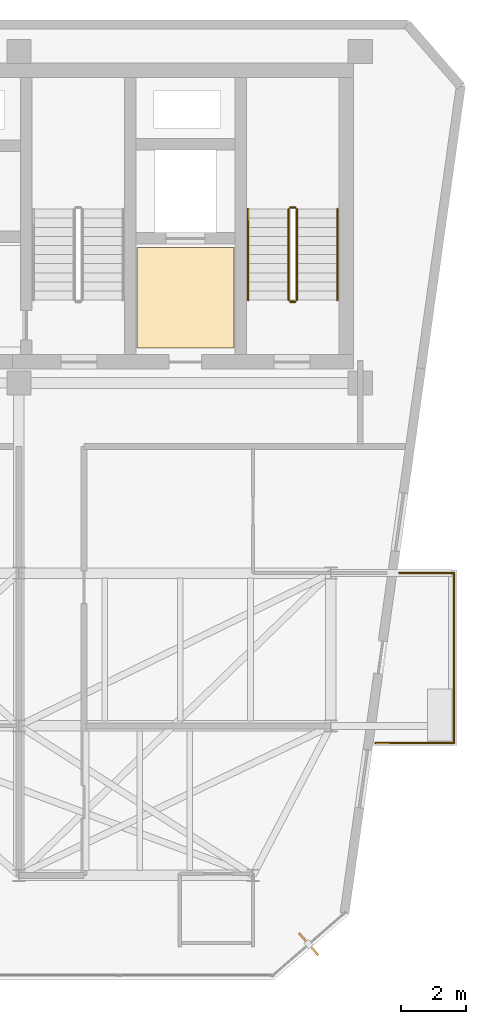
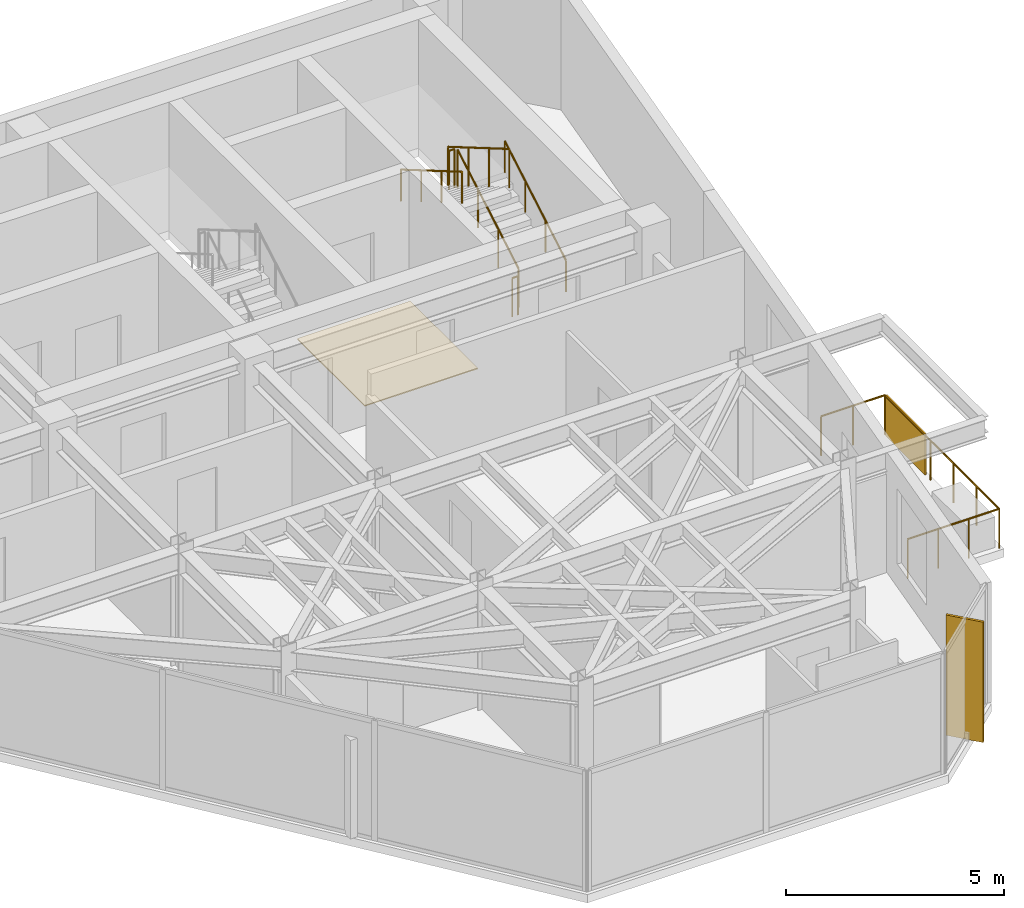
# One storey, part 17 of 17: 9 railings, 2 shading devices, 1 covering.
"""IFC4 building model written with IfcOpenShell, lengths in metres."""

import ifcopenshell
import ifcopenshell.guid

model = None  # the IFC model being written
_history = None  # IfcOwnerHistory: only IFC2X3 demands one
_inside = {}  # id of a spatial element -> (the spatial element, [elements in it])
_under = {}  # id of a project, library or spatial element -> (it, [spatial elements below it])
_declared = {}  # id of a project -> (the project, [libraries it declares])
_typed = {}  # id of a type object -> (the type object, [elements of that type])
_made_of = {}  # id of a material, layer set ... -> (it, [elements and type objects made of it])


def new_model(schema):
    """Start an empty IFC model of exactly this schema.

    Asked for "IFC4X3", IfcOpenShell would pick the latest addendum, in which some entities
    have other attributes; the version numbers below select the first issue.
    IFC2X3 requires an IfcOwnerHistory on every rooted entity: one is made here for all.
    """
    global model, _history
    if schema == "IFC4X3":
        model = ifcopenshell.file(schema_version=(4, 3, 0, 0))
    else:
        model = ifcopenshell.file(schema=schema)
    _inside.clear()
    _under.clear()
    _declared.clear()
    _typed.clear()
    _made_of.clear()
    _history = None
    if model.schema == "IFC2X3":
        org = make("IfcOrganization", Name="unknown")
        user = make(
            "IfcPersonAndOrganization",
            ThePerson=make("IfcPerson", FamilyName="unknown"),
            TheOrganization=org,
        )
        app = make(
            "IfcApplication",
            ApplicationDeveloper=org,
            Version="unknown",
            ApplicationFullName="unknown",
            ApplicationIdentifier="unknown",
        )
        _history = make(
            "IfcOwnerHistory",
            OwningUser=user,
            OwningApplication=app,
            ChangeAction="ADDED",
            CreationDate=0,
        )
    return model


def make(cls, **values):
    """One entity of the class cls with the attributes given. An attribute that is None is left unset."""
    return model.create_entity(
        cls, **{name: value for name, value in values.items() if value is not None}
    )


def rooted(cls, **values):
    """An entity with a GlobalId (a new one), such as an element, a storey or a relation."""
    return make(cls, GlobalId=ifcopenshell.guid.new(), OwnerHistory=_history, **values)


def si_unit(unit_type, name, prefix=None):
    """IfcSIUnit, for example si_unit("LENGTHUNIT", "METRE", prefix="MILLI")."""
    return make("IfcSIUnit", UnitType=unit_type, Prefix=prefix, Name=name)


def assignment(units):
    """IfcUnitAssignment: the units of a project."""
    return None if units is None else make("IfcUnitAssignment", Units=units)


def point(xyz):
    """IfcCartesianPoint."""
    return None if xyz is None else make("IfcCartesianPoint", Coordinates=xyz)


def direction(xyz):
    """IfcDirection."""
    return None if xyz is None else make("IfcDirection", DirectionRatios=xyz)


def frame(location, z_axis=None, x_axis=None):
    """IfcAxis2Placement3D, a coordinate frame: its origin and axes. An axis left out is left unset."""
    return make(
        "IfcAxis2Placement3D",
        Location=point(location),
        Axis=direction(z_axis),
        RefDirection=direction(x_axis),
    )


def frame_2d(location, x_axis=None):
    """IfcAxis2Placement2D, a coordinate frame in the plane: its origin and x axis."""
    return make(
        "IfcAxis2Placement2D", Location=point(location), RefDirection=direction(x_axis)
    )


def origin():
    """The frame at (0, 0, 0) with its axes left unset."""
    return frame((0.0, 0.0, 0.0))


def origin_2d():
    """The frame at (0, 0) in the plane with its x axis left unset."""
    return frame_2d((0.0, 0.0))


def place(relative_to, where):
    """IfcLocalPlacement: puts the frame where relative to a parent placement (None: the world)."""
    return make(
        "IfcLocalPlacement", PlacementRelTo=relative_to, RelativePlacement=where
    )


def context(
    kind, dimensions, precision=None, world=None, true_north=None, identifier=None
):
    """IfcGeometricRepresentationContext, for example the 3D "Model" context."""
    return make(
        "IfcGeometricRepresentationContext",
        ContextIdentifier=identifier,
        ContextType=kind,
        CoordinateSpaceDimension=dimensions,
        Precision=precision,
        WorldCoordinateSystem=world,
        TrueNorth=true_north,
    )


def subcontext(parent, identifier, kind, view, scale=None):
    """IfcGeometricRepresentationSubContext, for example "Body" below "Model"."""
    return make(
        "IfcGeometricRepresentationSubContext",
        ContextIdentifier=identifier,
        ContextType=kind,
        ParentContext=parent,
        TargetScale=scale,
        TargetView=view,
    )


def project(units=None, contexts=None):
    """IfcProject with its units and contexts."""
    return rooted(
        "IfcProject",
        Name="project",
        RepresentationContexts=contexts,
        UnitsInContext=assignment(units),
    )


def spatial(cls, under=None, at=None, **own):
    """A site, building, storey or space (cls), placed at a placement, below another one or the project."""
    s = rooted(cls, ObjectPlacement=at, **own)
    if under is not None:
        _under.setdefault(under.id(), (under, []))[1].append(s)
    return s


def polyline(points):
    """IfcPolyline through the points."""
    return make("IfcPolyline", Points=[point(p) for p in points])


def profile(cls, at=None, kind="AREA", **sizes):
    """A parametric profile (cls). Its sizes go by their IFC names, for example OverallWidth=200.0."""
    return make(cls, ProfileType=kind, Position=at, **sizes)


def rectangle(**sizes):
    """IfcRectangleProfileDef."""
    return profile("IfcRectangleProfileDef", **sizes)


def circle(**sizes):
    """IfcCircleProfileDef."""
    return profile("IfcCircleProfileDef", **sizes)


def outline(outer, holes=None, kind="AREA"):
    """IfcArbitraryClosedProfileDef: a profile drawn as a closed curve; with holes, ...WithVoids."""
    if holes is None:
        return make("IfcArbitraryClosedProfileDef", ProfileType=kind, OuterCurve=outer)
    return make(
        "IfcArbitraryProfileDefWithVoids",
        ProfileType=kind,
        OuterCurve=outer,
        InnerCurves=holes,
    )


def extrude(swept, where, along, depth):
    """IfcExtrudedAreaSolid: the profile swept, set in the frame where, extruded along a direction by depth."""
    return make(
        "IfcExtrudedAreaSolid",
        SweptArea=swept,
        Position=where,
        ExtrudedDirection=direction(along),
        Depth=depth,
    )


def shape(context_of_items, identifier, shape_type, items):
    """IfcShapeRepresentation: the items that make up one representation, for example the "Body"."""
    return make(
        "IfcShapeRepresentation",
        ContextOfItems=context_of_items,
        RepresentationIdentifier=identifier,
        RepresentationType=shape_type,
        Items=items,
    )


def material(Name=None, Category=None):
    """IfcMaterial."""
    return make("IfcMaterial", Name=Name, Category=Category)


def layer(
    of_material, thickness, ventilated=None, Name=None, Category=None, Priority=None
):
    """IfcMaterialLayer: one layer of a wall or slab, of a material (None: an air gap)."""
    return make(
        "IfcMaterialLayer",
        Material=of_material,
        LayerThickness=thickness,
        IsVentilated=ventilated,
        Name=Name,
        Category=Category,
        Priority=Priority,
    )


def layer_set(layers, Name=None):
    """IfcMaterialLayerSet."""
    return make("IfcMaterialLayerSet", MaterialLayers=layers, LayerSetName=Name)


def made_of(thing, what):
    """Note that an element or type object is made of a material, layer set ...; save() writes the relation."""
    if what is not None:
        _made_of.setdefault(what.id(), (what, []))[1].append(thing)
    return thing


def type_object(cls, material=None, **own):
    """A type object (cls), such as IfcWallType, which elements share."""
    return made_of(rooted(cls, **own), material)


def element(
    cls,
    number,
    at=None,
    inside=None,
    cuts=None,
    type_object=None,
    material=None,
    context=None,
    identifier="Body",
    shape_type=None,
    held_by="IfcProductDefinitionShape",
    body=None,
    shapes=None,
    **own,
):
    """One element of the class cls, such as IfcWall. Its Tag is "e" and its number.

    at: its placement. inside: the storey or other place that contains it. cuts: it is an
    opening in that element (IfcRelVoidsElement). A single representation is given by context,
    identifier, shape_type and body (its items); several are given by shapes. held_by: the class
    of the entity that holds the representations. save() writes the other relations.
    """
    e = rooted(cls, Tag="e%d" % number, ObjectPlacement=at, **own)
    if body is not None:
        shapes = [shape(context, identifier, shape_type, body)]
    if shapes is not None:
        e.Representation = make(held_by, Representations=shapes)
    if inside is not None:
        _inside.setdefault(inside.id(), (inside, []))[1].append(e)
    if cuts is not None:
        rooted(
            "IfcRelVoidsElement", RelatingBuildingElement=cuts, RelatedOpeningElement=e
        )
    if type_object is not None:
        _typed.setdefault(type_object.id(), (type_object, []))[1].append(e)
    return made_of(e, material)


def aggregate(whole, parts):
    """IfcRelAggregates: a whole, such as a stair, and the parts it consists of."""
    return rooted("IfcRelAggregates", RelatingObject=whole, RelatedObjects=parts)


def save(model, path):
    """Write the relations noted so far, then the file.

    IfcRelAggregates (storeys below a building ...), IfcRelContainedInSpatialStructure (elements
    in a storey), IfcRelDefinesByType, IfcRelAssociatesMaterial and IfcRelDeclares: one each for
    every whole, place, type object, material and project.
    """
    for whole, parts in _under.values():
        aggregate(whole, parts)
    for where, things in _inside.values():
        rooted(
            "IfcRelContainedInSpatialStructure",
            RelatedElements=things,
            RelatingStructure=where,
        )
    for kind, things in _typed.values():
        rooted("IfcRelDefinesByType", RelatedObjects=things, RelatingType=kind)
    for what, things in _made_of.values():
        rooted("IfcRelAssociatesMaterial", RelatedObjects=things, RelatingMaterial=what)
    for by, libraries in _declared.values():
        rooted("IfcRelDeclares", RelatingContext=by, RelatedDefinitions=libraries)
    model.write(path)


model = new_model("IFC4")

# Units and contexts
model_context = context("Model", 3, precision=1e-05, world=origin(), true_north=direction((0.0, 1.0)))
body_context = subcontext(model_context, "Body", "Model", "MODEL_VIEW")
ifc_project = project(units=[si_unit("LENGTHUNIT", "METRE"), si_unit("AREAUNIT", "SQUARE_METRE"), si_unit("VOLUMEUNIT", "CUBIC_METRE"), si_unit("PLANEANGLEUNIT", "RADIAN"), si_unit("MASSUNIT", "GRAM", prefix="KILO")], contexts=[model_context])

# Site, building, storey
site_placement = place(None, origin())
site = spatial("IfcSite", under=ifc_project, at=site_placement, CompositionType="ELEMENT")
building_placement = place(site_placement, origin())
building = spatial("IfcBuilding", under=site, at=building_placement, Name="Kravanh Interchange Tower", CompositionType="ELEMENT")
storey_placement = place(building_placement, frame((0.0, 0.0, 289.5)))
storey = spatial("IfcBuildingStorey", under=building, at=storey_placement, Name="L71", CompositionType="ELEMENT", Elevation=289.5)

# Covering
ifc_material_1 = material(Name="Cementitious Terrazzo Tile")
ifc_layer_1 = layer(ifc_material_1, 0.030029296875)
ifc_layer_set_1 = layer_set([ifc_layer_1], Name="Honed Terrazzo Lobby Flooring 30mm")
covering_type = type_object("IfcCoveringType", Name="Honed Terrazzo Lobby Flooring 30mm", PredefinedType="FLOORING", material=ifc_layer_set_1)
covering_placement = place(storey_placement, origin())
element("IfcCovering", 1, at=covering_placement, inside=storey, type_object=covering_type, Name="L71 Service Lift Lobby Floor Finish", PredefinedType="FLOORING", context=body_context, shape_type="SweptSolid", body=[
    extrude(outline(polyline([(59.6298828125, 41.52001953125), (62.6201171875, 41.52001953125), (62.6201171875, 38.429931640625), (59.6298828125, 38.429931640625), (59.6298828125, 41.52001953125)])), origin(), (0.0, 0.0, 1.0), 0.030029296875),
])

# Shading device
ifc_material_2 = material(Name="Perforated Anodised Bronze Aluminium", Category="aluminium")
ifc_layer_2 = layer(ifc_material_2, 0.0400390625)
ifc_layer_set_2 = layer_set([ifc_layer_2], Name="Perforated Bronze Balcony Privacy Screen 1150mm")
shading_device_type_1 = type_object("IfcShadingDeviceType", Name="Perforated Bronze Balcony Privacy Screen 1150mm", PredefinedType="USERDEFINED", material=ifc_layer_set_2)
shading_device_1_placement = place(storey_placement, frame((69.39306640625, 30.5400390625, 0.0), z_axis=(0.0, 0.0, 1.0), x_axis=(1.0, 0.0, 0.0)))
element("IfcShadingDevice", 2, at=shading_device_1_placement, inside=storey, type_object=shading_device_type_1, Name="L71 E Perforated Bronze BALCONY SCREEN", ObjectType="SCREEN", PredefinedType="USERDEFINED", context=body_context, shape_type="SweptSolid", body=[
    extrude(rectangle(XDim=0.0400390625, YDim=1.800048828125, at=origin_2d()), origin(), (0.0, 0.0, 1.0), 1.14990234375),
])

# Railings
ifc_material_3 = material(Name="Stainless Steel 316", Category="steel")
ifc_layer_3 = layer(ifc_material_3, 0.06005859375)
ifc_layer_set_3 = layer_set([ifc_layer_3], Name="Perimeter Balcony and Terrace Guardrail Stainless 316 1120mm")
railing_type_1 = type_object("IfcRailingType", Name="Perimeter Balcony and Terrace Guardrail Stainless 316 1120mm", PredefinedType="GUARDRAIL", material=ifc_layer_set_3)
railing_1_placement = place(storey_placement, frame((69.39306640625, 31.510009765625, 0.0)))
element("IfcRailing", 3, at=railing_1_placement, inside=storey, type_object=railing_type_1, Name="L71 E Balcony Guardrail 1", PredefinedType="GUARDRAIL", context=body_context, shape_type="SweptSolid", body=[
    extrude(circle(Radius=0.02392578125, at=origin_2d()), frame((0.0, 0.0, 1.09619140625), z_axis=(0.0, -1.0, 0.0), x_axis=(1.0, 0.0, 0.0)), (0.0, 0.0, 1.0), 5.239990234375),
    extrude(circle(Radius=0.02099609375, at=origin_2d()), origin(), (0.0, 0.0, 1.0), 1.072021484375),
    extrude(circle(Radius=0.02099609375, at=origin_2d()), frame((0.0, -1.048095703125, 0.0)), (0.0, 0.0, 1.0), 1.072021484375),
    extrude(circle(Radius=0.02099609375, at=origin_2d()), frame((0.0, -2.095947265625, 0.0)), (0.0, 0.0, 1.0), 1.072021484375),
    extrude(circle(Radius=0.02099609375, at=origin_2d()), frame((0.0, -3.14404296875, 0.0)), (0.0, 0.0, 1.0), 1.072021484375),
    extrude(circle(Radius=0.02099609375, at=origin_2d()), frame((0.0, -4.19189453125, 0.0)), (0.0, 0.0, 1.0), 1.072021484375),
    extrude(circle(Radius=0.02099609375, at=origin_2d()), frame((0.0, -5.239990234375, 0.0)), (0.0, 0.0, 1.0), 1.072021484375),
])
railing_2_placement = place(storey_placement, frame((69.39306640625, 26.27001953125, 0.0)))
element("IfcRailing", 4, at=railing_2_placement, inside=storey, type_object=railing_type_1, Name="L71 E Balcony Guardrail 2", PredefinedType="GUARDRAIL", context=body_context, shape_type="SweptSolid", body=[
    extrude(circle(Radius=0.02392578125, at=origin_2d()), frame((0.0, 0.0, 1.09619140625), z_axis=(-1.0, 0.0, 0.0), x_axis=(0.0, -1.0, 0.0)), (0.0, 0.0, 1.0), 2.42138671875),
    extrude(circle(Radius=0.02099609375, at=origin_2d()), origin(), (0.0, 0.0, 1.0), 1.072021484375),
    extrude(circle(Radius=0.02099609375, at=origin_2d()), frame((-0.80712890625, 0.0, 0.0)), (0.0, 0.0, 1.0), 1.072021484375),
    extrude(circle(Radius=0.02099609375, at=origin_2d()), frame((-1.6142578125, 0.0, 0.0)), (0.0, 0.0, 1.0), 1.072021484375),
    extrude(circle(Radius=0.02099609375, at=origin_2d()), frame((-2.42138671875, 0.0, 0.0)), (0.0, 0.0, 1.0), 1.072021484375),
])
railing_3_placement = place(storey_placement, frame((67.7080078125, 31.510009765625, 0.0)))
element("IfcRailing", 5, at=railing_3_placement, inside=storey, type_object=railing_type_1, Name="L71 E Balcony Guardrail 3", PredefinedType="GUARDRAIL", context=body_context, shape_type="SweptSolid", body=[
    extrude(circle(Radius=0.02392578125, at=origin_2d()), frame((0.0, 0.0, 1.09619140625), z_axis=(1.0, 0.0, 0.0), x_axis=(0.0, 1.0, 0.0)), (0.0, 0.0, 1.0), 1.68505859375),
    extrude(circle(Radius=0.02099609375, at=origin_2d()), origin(), (0.0, 0.0, 1.0), 1.072021484375),
    extrude(circle(Radius=0.02099609375, at=origin_2d()), frame((0.842529296875, 0.0, 0.0)), (0.0, 0.0, 1.0), 1.072021484375),
    extrude(circle(Radius=0.02099609375, at=origin_2d()), frame((1.68505859375, 0.0, 0.0)), (0.0, 0.0, 1.0), 1.072021484375),
])
ifc_material_4 = material(Name="Structural Steel S355", Category="steel")
ifc_layer_4 = layer(ifc_material_4, 0.050048828125)
ifc_layer_set_4 = layer_set([ifc_layer_4], Name="Stair Well Guardrail Structural Steel S355 1100mm")
railing_type_2 = type_object("IfcRailingType", Name="Stair Well Guardrail Structural Steel S355 1100mm", PredefinedType="GUARDRAIL", material=ifc_layer_set_4)
railing_4_placement = place(storey_placement, frame((64.550048828125, 39.89990234375, 0.16357421875)))
element("IfcRailing", 6, at=railing_4_placement, inside=storey, type_object=railing_type_2, Name="L71 ST1 stair guard 1", PredefinedType="GUARDRAIL", context=body_context, shape_type="SweptSolid", body=[
    extrude(circle(Radius=0.02392578125, at=origin_2d()), frame((0.0, 0.0, 1.076171875), z_axis=(0.0, 0.863360870873, 0.504586966384), x_axis=(-1.0, 0.0, 0.0)), (0.0, 0.0, 1.0), 3.2431640625),
    extrude(circle(Radius=0.02099609375, at=origin_2d()), origin(), (0.0, 0.0, 1.0), 1.052001953125),
    extrude(circle(Radius=0.02099609375, at=origin_2d()), frame((0.0, 0.933349609375, 0.54541015625)), (0.0, 0.0, 1.0), 1.052001953125),
    extrude(circle(Radius=0.02099609375, at=origin_2d()), frame((0.0, 1.86669921875, 1.091064453125)), (0.0, 0.0, 1.0), 1.052001953125),
    extrude(circle(Radius=0.02099609375, at=origin_2d()), frame((0.0, 2.800048828125, 1.636474609375)), (0.0, 0.0, 1.0), 1.052001953125),
])
railing_5_placement = place(storey_placement, frame((64.5, 42.75, 1.800048828125)))
element("IfcRailing", 7, at=railing_5_placement, inside=storey, type_object=railing_type_2, Name="L71 ST1 stair guard 2", PredefinedType="GUARDRAIL", context=body_context, shape_type="SweptSolid", body=[
    extrude(circle(Radius=0.02392578125, at=origin_2d()), frame((0.0, 0.0, 1.076171875), z_axis=(-1.0, 0.0, 0.0), x_axis=(0.0, -1.0, 0.0)), (0.0, 0.0, 1.0), 0.14990234375),
    extrude(circle(Radius=0.02099609375, at=origin_2d()), origin(), (0.0, 0.0, 1.0), 1.052001953125),
    extrude(circle(Radius=0.02099609375, at=origin_2d()), frame((-0.14990234375, 0.0, 0.0)), (0.0, 0.0, 1.0), 1.052001953125),
])
railing_6_placement = place(storey_placement, frame((64.300048828125, 42.699951171875, 1.963623046875)))
element("IfcRailing", 8, at=railing_6_placement, inside=storey, type_object=railing_type_2, Name="L71 ST1 stair guard 3", PredefinedType="GUARDRAIL", context=body_context, shape_type="SweptSolid", body=[
    extrude(circle(Radius=0.02392578125, at=origin_2d()), frame((0.0, 0.0, 1.076171875), z_axis=(0.0, -0.863360870873, 0.504586966384), x_axis=(1.0, 0.0, 0.0)), (0.0, 0.0, 1.0), 3.2431640625),
    extrude(circle(Radius=0.02099609375, at=origin_2d()), origin(), (0.0, 0.0, 1.0), 1.052001953125),
    extrude(circle(Radius=0.02099609375, at=origin_2d()), frame((0.0, -0.933349609375, 0.54541015625)), (0.0, 0.0, 1.0), 1.052001953125),
    extrude(circle(Radius=0.02099609375, at=origin_2d()), frame((0.0, -1.86669921875, 1.091064453125)), (0.0, 0.0, 1.0), 1.052001953125),
    extrude(circle(Radius=0.02099609375, at=origin_2d()), frame((0.0, -2.800048828125, 1.636474609375)), (0.0, 0.0, 1.0), 1.052001953125),
])
railing_7_placement = place(storey_placement, frame((64.5, 39.85009765625, 0.0)))
element("IfcRailing", 9, at=railing_7_placement, inside=storey, type_object=railing_type_2, Name="L71 ST1 stair guard 4", PredefinedType="GUARDRAIL", context=body_context, shape_type="SweptSolid", body=[
    extrude(circle(Radius=0.02392578125, at=origin_2d()), frame((0.0, 0.0, 1.076171875), z_axis=(-1.0, 0.0, 0.0), x_axis=(0.0, -1.0, 0.0)), (0.0, 0.0, 1.0), 0.14990234375),
    extrude(circle(Radius=0.02099609375, at=origin_2d()), origin(), (0.0, 0.0, 1.0), 1.052001953125),
    extrude(circle(Radius=0.02099609375, at=origin_2d()), frame((-0.14990234375, 0.0, 0.0)), (0.0, 0.0, 1.0), 1.052001953125),
])
ifc_material_5 = material(Name="Stainless Steel 304", Category="steel")
ifc_layer_5 = layer(ifc_material_5, 0.044921875)
ifc_layer_set_5 = layer_set([ifc_layer_5], Name="Tubular Stair Handrail Stainless 304 900mm")
railing_type_3 = type_object("IfcRailingType", Name="Tubular Stair Handrail Stainless 304 900mm", PredefinedType="HANDRAIL", material=ifc_layer_set_5)
railing_8_placement = place(storey_placement, frame((65.800048828125, 39.89990234375, 0.16357421875)))
element("IfcRailing", 10, at=railing_8_placement, inside=storey, type_object=railing_type_3, Name="L71 ST1 stair handrail 1", PredefinedType="HANDRAIL", context=body_context, shape_type="SweptSolid", body=[
    extrude(circle(Radius=0.02392578125, at=origin_2d()), frame((0.0, 0.0, 0.8759765625), z_axis=(0.0, 0.863360870873, 0.504586966384), x_axis=(-1.0, 0.0, 0.0)), (0.0, 0.0, 1.0), 3.2431640625),
    extrude(circle(Radius=0.02099609375, at=origin_2d()), origin(), (0.0, 0.0, 1.0), 0.851806640625),
    extrude(circle(Radius=0.02099609375, at=origin_2d()), frame((0.0, 0.933349609375, 0.54541015625)), (0.0, 0.0, 1.0), 0.851806640625),
    extrude(circle(Radius=0.02099609375, at=origin_2d()), frame((0.0, 1.86669921875, 1.091064453125)), (0.0, 0.0, 1.0), 0.851806640625),
    extrude(circle(Radius=0.02099609375, at=origin_2d()), frame((0.0, 2.800048828125, 1.636474609375)), (0.0, 0.0, 1.0), 0.851806640625),
])
railing_9_placement = place(storey_placement, frame((63.050048828125, 42.699951171875, 1.963623046875)))
element("IfcRailing", 11, at=railing_9_placement, inside=storey, type_object=railing_type_3, Name="L71 ST1 stair handrail 2", PredefinedType="HANDRAIL", context=body_context, shape_type="SweptSolid", body=[
    extrude(circle(Radius=0.02392578125, at=origin_2d()), frame((0.0, 0.0, 0.8759765625), z_axis=(0.0, -0.863360870873, 0.504586966384), x_axis=(1.0, 0.0, 0.0)), (0.0, 0.0, 1.0), 3.2431640625),
    extrude(circle(Radius=0.02099609375, at=origin_2d()), origin(), (0.0, 0.0, 1.0), 0.851806640625),
    extrude(circle(Radius=0.02099609375, at=origin_2d()), frame((0.0, -0.933349609375, 0.54541015625)), (0.0, 0.0, 1.0), 0.851806640625),
    extrude(circle(Radius=0.02099609375, at=origin_2d()), frame((0.0, -1.86669921875, 1.091064453125)), (0.0, 0.0, 1.0), 0.851806640625),
    extrude(circle(Radius=0.02099609375, at=origin_2d()), frame((0.0, -2.800048828125, 1.636474609375)), (0.0, 0.0, 1.0), 0.851806640625),
])

# Shading device
ifc_material_6 = material(Name="Anodised Champagne Bronze Aluminium", Category="aluminium")
ifc_layer_6 = layer(ifc_material_6, 0.06005859375)
ifc_layer_set_6 = layer_set([ifc_layer_6], Name="Vertical Bronze Solar Fin 900mm")
shading_device_type_2 = type_object("IfcShadingDeviceType", Name="Vertical Bronze Solar Fin 900mm", PredefinedType="USERDEFINED", material=ifc_layer_set_6)
shading_device_2_placement = place(storey_placement, frame((64.91455078125, 20.080810546875, 0.0), z_axis=(0.0, 0.0, 1.0), x_axis=(0.656043386928, -0.754723177376, 0.0)))
element("IfcShadingDevice", 12, at=shading_device_2_placement, inside=storey, type_object=shading_device_type_2, Name="L71 BRONZE SOLAR FIN 2", ObjectType="FIN", PredefinedType="USERDEFINED", context=body_context, shape_type="SweptSolid", body=[
    extrude(rectangle(XDim=0.89990234375, YDim=0.06005859375, at=origin_2d()), origin(), (0.0, 0.0, 1.0), 3.364990234375),
])

save(model, "model.ifc")
